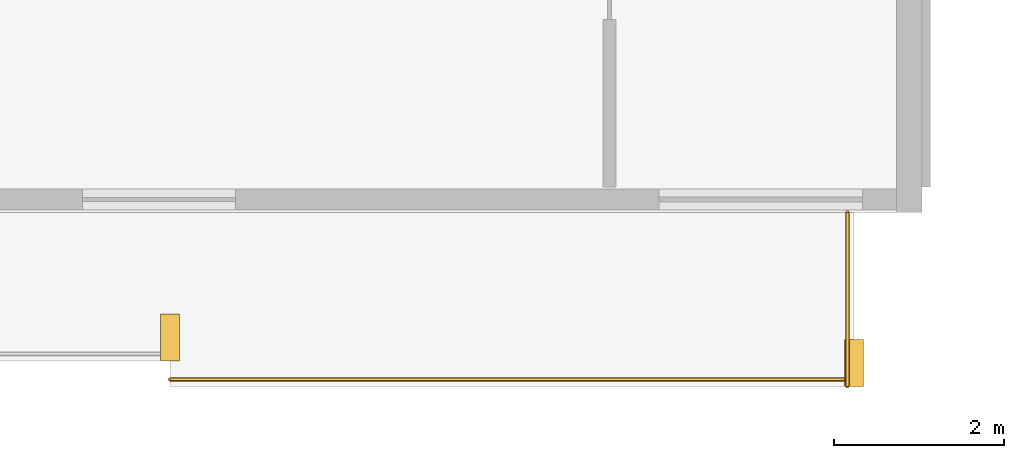
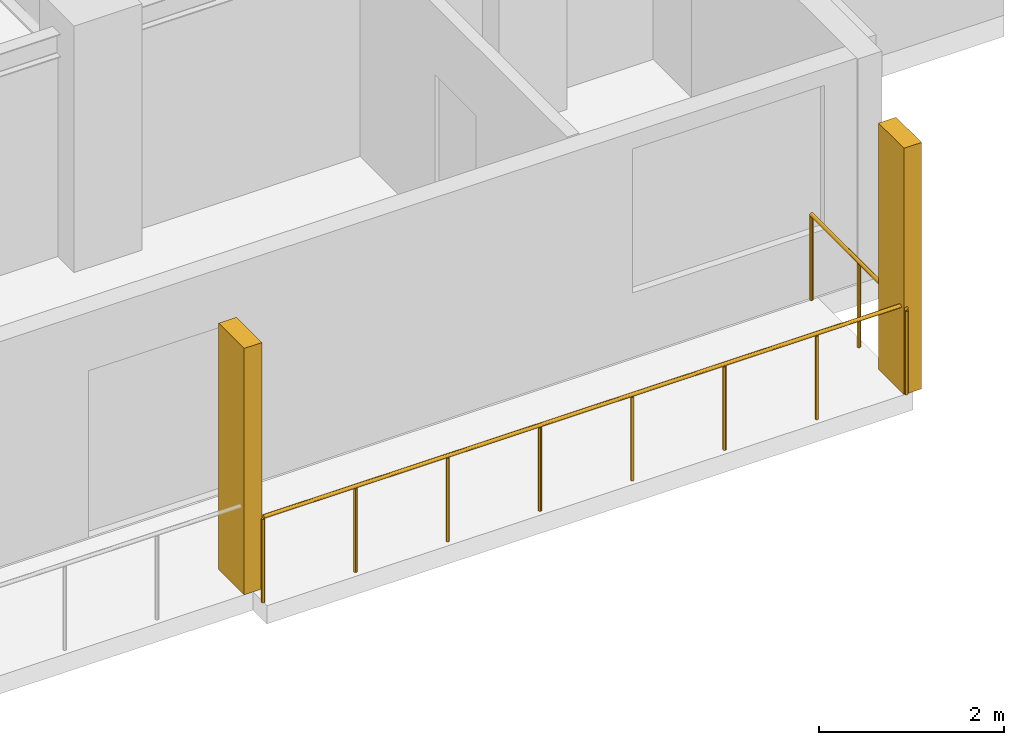
# One storey, part 20 of 22: 2 railings, 2 shading devices.
"""IFC4 building model written with IfcOpenShell, lengths in metres."""

from ifc_helpers import new_model, si_unit, direction, frame, origin, origin_2d, place, context, subcontext, project, spatial, rectangle, circle, extrude, material, type_object, element, save


model = new_model("IFC4")

# Units and contexts
model_context = context("Model", 3, precision=1e-05, world=origin(), true_north=direction((0.0, 1.0)))
body_context = subcontext(model_context, "Body", "Model", "MODEL_VIEW")
ifc_project = project(units=[si_unit("LENGTHUNIT", "METRE"), si_unit("AREAUNIT", "SQUARE_METRE"), si_unit("VOLUMEUNIT", "CUBIC_METRE"), si_unit("PLANEANGLEUNIT", "RADIAN"), si_unit("MASSUNIT", "GRAM", prefix="KILO")], contexts=[model_context])

# Site, building, storey
site_placement = place(None, origin())
site = spatial("IfcSite", under=ifc_project, at=site_placement, CompositionType="ELEMENT")
building_placement = place(site_placement, origin())
building = spatial("IfcBuilding", under=site, at=building_placement, Name="Korimba Cascade Residences", CompositionType="ELEMENT")
storey_placement = place(building_placement, frame((0.0, 0.0, 126.300048828125)))
storey = spatial("IfcBuildingStorey", under=building, at=storey_placement, Name="L36", CompositionType="ELEMENT", Elevation=126.300048828125)

# Railings
ifc_material_1 = material(Name="Laminated Glass and Bronze Balustrade", Category="glass")
railing_type = type_object("IfcRailingType", Name="RLG-LOG-1150", PredefinedType="BALUSTRADE", material=ifc_material_1)
railing_1_placement = place(storey_placement, frame((121.843017578125, -10.969970703125, 0.0)))
element("IfcRailing", 1, at=railing_1_placement, inside=storey, type_object=railing_type, Name="L36 Perimeter Guardrail RLG-L36-T2-LOG-06", PredefinedType="BALUSTRADE", context=body_context, shape_type="SweptSolid", body=[
    extrude(circle(Radius=0.02392578125, at=origin_2d()), frame((0.0, 0.0, 1.1259765625), z_axis=(1.0, 0.0, 0.0), x_axis=(0.0, 1.0, 0.0)), (0.0, 0.0, 1.0), 8.056884765625),
    extrude(circle(Radius=0.02099609375, at=origin_2d()), origin(), (0.0, 0.0, 1.0), 1.101806640625),
    extrude(circle(Radius=0.02099609375, at=origin_2d()), frame((1.15087890625, 0.0, 0.0)), (0.0, 0.0, 1.0), 1.101806640625),
    extrude(circle(Radius=0.02099609375, at=origin_2d()), frame((2.302001953125, 0.0, 0.0)), (0.0, 0.0, 1.0), 1.101806640625),
    extrude(circle(Radius=0.02099609375, at=origin_2d()), frame((3.452880859375, 0.0, 0.0)), (0.0, 0.0, 1.0), 1.101806640625),
    extrude(circle(Radius=0.02099609375, at=origin_2d()), frame((4.60400390625, 0.0, 0.0)), (0.0, 0.0, 1.0), 1.101806640625),
    extrude(circle(Radius=0.02099609375, at=origin_2d()), frame((5.7548828125, 0.0, 0.0)), (0.0, 0.0, 1.0), 1.101806640625),
    extrude(circle(Radius=0.02099609375, at=origin_2d()), frame((6.906005859375, 0.0, 0.0)), (0.0, 0.0, 1.0), 1.101806640625),
    extrude(circle(Radius=0.02099609375, at=origin_2d()), frame((8.056884765625, 0.0, 0.0)), (0.0, 0.0, 1.0), 1.101806640625),
])
railing_2_placement = place(storey_placement, frame((129.820068359375, -11.050048828125, 0.0)))
element("IfcRailing", 2, at=railing_2_placement, inside=storey, type_object=railing_type, Name="L36 Perimeter Guardrail RLG-L36-T2-LOG-07", PredefinedType="BALUSTRADE", context=body_context, shape_type="SweptSolid", body=[
    extrude(circle(Radius=0.02392578125, at=origin_2d()), frame((0.0, 0.0, 1.1259765625), z_axis=(0.0, 1.0, 0.0), x_axis=(-1.0, 0.0, 0.0)), (0.0, 0.0, 1.0), 2.050048828125),
    extrude(circle(Radius=0.02099609375, at=origin_2d()), origin(), (0.0, 0.0, 1.0), 1.101806640625),
    extrude(circle(Radius=0.02099609375, at=origin_2d()), frame((0.0, 1.02490234375, 0.0)), (0.0, 0.0, 1.0), 1.101806640625),
    extrude(circle(Radius=0.02099609375, at=origin_2d()), frame((0.0, 2.050048828125, 0.0)), (0.0, 0.0, 1.0), 1.101806640625),
])

# Shading devices
ifc_material_2 = material(Name="Honed Sandstone Precast Fin", Category="masonry")
shading_device_type = type_object("IfcShadingDeviceType", Name="SHD-FIN-550", PredefinedType="USERDEFINED", material=ifc_material_2)
for number, where, z_axis, x_axis, name in (
    (3, (121.843017578125, -10.47509765625, 0.0), (0.0, 0.0, 1.0), (1.0, 0.0, 0.0), "L36 T2 Warm-Stone Loggia Fin 7"),
    (4, (129.89990234375, -10.77490234375, 0.0), (0.0, 0.0, 1.0), (1.0, 0.0, 0.0), "L36 T2 Warm-Stone Loggia Fin 8"),
):
    element("IfcShadingDevice", number, at=place(storey_placement, frame(where, z_axis=z_axis, x_axis=x_axis)), inside=storey, type_object=shading_device_type, Name=name, ObjectType="FIN", PredefinedType="USERDEFINED", context=body_context, shape_type="SweptSolid", body=[
        extrude(rectangle(XDim=0.219970703125, YDim=0.550048828125, at=origin_2d()), origin(), (0.0, 0.0, 1.0), 3.25),
    ])

save(model, "model.ifc")
